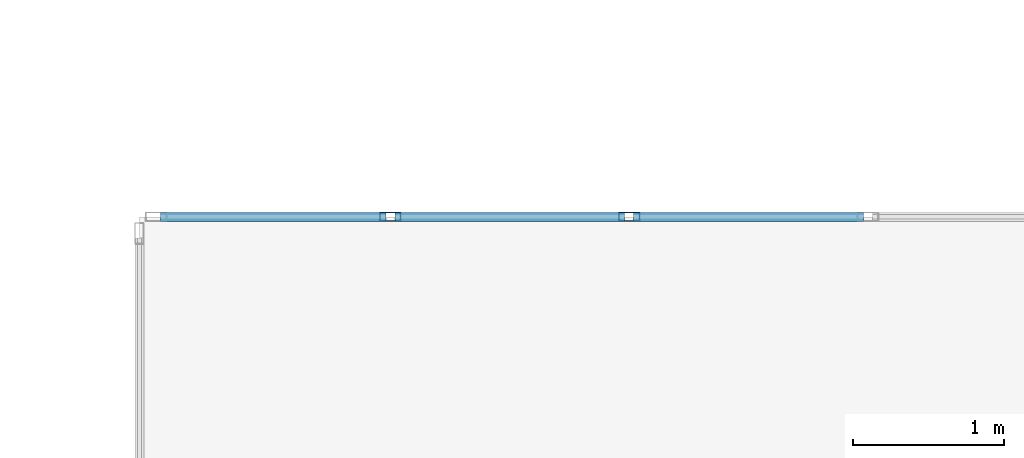
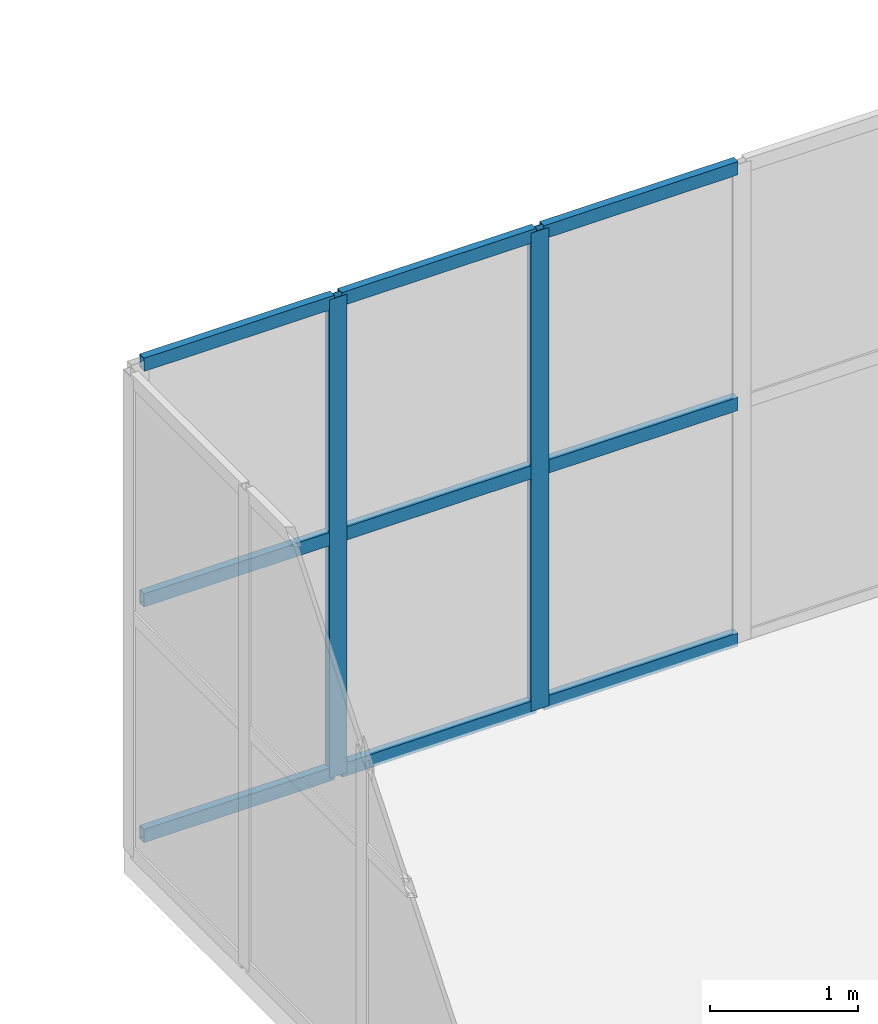
# One storey, part 45 of 81: 11 members, 1 element without a shape of its own.
"""IFC4 building model written with IfcOpenShell, lengths in metres."""

from ifc_helpers import new_model, si_unit, direction, frame, origin, origin_2d, place, context, subcontext, project, spatial, hollow_rectangle, extrude, material, layer, layer_set, material_profile, profile_set, type_object, element, aggregate, save


model = new_model("IFC4")

# Units and contexts
model_context = context("Model", 3, precision=1e-05, world=origin(), true_north=direction((0.0, 1.0)))
body_context = subcontext(model_context, "Body", "Model", "MODEL_VIEW")
ifc_project = project(units=[si_unit("LENGTHUNIT", "METRE"), si_unit("AREAUNIT", "SQUARE_METRE"), si_unit("VOLUMEUNIT", "CUBIC_METRE"), si_unit("PLANEANGLEUNIT", "RADIAN"), si_unit("MASSUNIT", "GRAM", prefix="KILO")], contexts=[model_context])

# Site, building, storey
site_placement = place(None, origin())
site = spatial("IfcSite", under=ifc_project, at=site_placement, CompositionType="ELEMENT")
building_placement = place(site_placement, origin())
building = spatial("IfcBuilding", under=site, at=building_placement, Name="Trelvath General Hospital", CompositionType="ELEMENT")
storey_placement = place(building_placement, frame((0.0, 0.0, 24.60009765625)))
storey = spatial("IfcBuildingStorey", under=building, at=storey_placement, Name="L06", CompositionType="ELEMENT", Elevation=24.60009765625)

# Curtain wall, members
ifc_material_1 = material(Name="Anodised aluminium and low-E glass", Category="aluminium")
ifc_layer = layer(ifc_material_1, 0.139892578125)
ifc_layer_set = layer_set([ifc_layer], Name="Anodised aluminium and low-E glass")
curtain_wall_type = type_object("IfcCurtainWallType", Name="CW CrystalCube 790 396 14", PredefinedType="USERDEFINED", material=ifc_layer_set)
curtain_wall_placement = place(storey_placement, origin())
curtain_wall = element("IfcCurtainWall", 1, at=curtain_wall_placement, inside=storey, type_object=curtain_wall_type, Name="Crystal Cube Curtain Wall CUBE-E-T2 N1 L06", ObjectType="Unitised Glazed Curtain Wall", PredefinedType="USERDEFINED")
ifc_material_2 = material(Name="Anodised aluminium", Category="aluminium")
ifc_material_profile_1 = material_profile(ifc_material_2, hollow_rectangle(XDim=0.06005859375, YDim=0.139892578125, WallThickness=0.00390625, at=origin_2d()), Name="RHS60x140x4")
ifc_profile_set_1 = profile_set([ifc_material_profile_1], Name="Anodised aluminium")
member_type_1 = type_object("IfcMemberType", Name="CurtainMullion 60x140", PredefinedType="MULLION", material=ifc_profile_set_1)
member_1_placement = place(storey_placement, frame((94.06005859375, 74.0, 0.0), z_axis=(0.0, 0.0, 1.0), x_axis=(0.0, 1.0, 0.0)))
member_1 = element("IfcMember", 2, at=member_1_placement, type_object=member_type_1, Name="CW-334 mullion 2", PredefinedType="MULLION", context=body_context, shape_type="SweptSolid", body=[
    extrude(hollow_rectangle(XDim=0.06005859375, YDim=0.139892578125, WallThickness=0.00390625, at=origin_2d()), origin(), (0.0, 0.0, 1.0), 3.9599609375),
])
member_2_placement = place(storey_placement, frame((95.639892578125, 74.0, 0.0), z_axis=(0.0, 0.0, 1.0), x_axis=(0.0, 1.0, 0.0)))
member_2 = element("IfcMember", 3, at=member_2_placement, type_object=member_type_1, Name="CW-334 mullion 3", PredefinedType="MULLION", context=body_context, shape_type="SweptSolid", body=[
    extrude(hollow_rectangle(XDim=0.06005859375, YDim=0.139892578125, WallThickness=0.00390625, at=origin_2d()), origin(), (0.0, 0.0, 1.0), 3.9599609375),
])
ifc_material_3 = material(Name="Anodised aluminium", Category="aluminium")
ifc_material_profile_2 = material_profile(ifc_material_3, hollow_rectangle(XDim=0.06005859375, YDim=0.110107421875, WallThickness=0.00390625, at=origin_2d()), Name="RHS60x110x4")
ifc_profile_set_2 = profile_set([ifc_material_profile_2], Name="Anodised aluminium")
member_type_2 = type_object("IfcMemberType", Name="CurtainTransom 60x110", PredefinedType="USERDEFINED", material=ifc_profile_set_2)
member_3_placement = place(storey_placement, frame((92.5400390625, 74.0, 0.02978515625), z_axis=(1.0, 0.0, 0.0), x_axis=(0.0, 1.0, 0.0)))
member_3 = element("IfcMember", 4, at=member_3_placement, type_object=member_type_2, Name="CW-334 transom 1.1", ObjectType="TRANSOM", PredefinedType="USERDEFINED", context=body_context, shape_type="SweptSolid", body=[
    extrude(hollow_rectangle(XDim=0.06005859375, YDim=0.110107421875, WallThickness=0.00390625, at=origin_2d()), origin(), (0.0, 0.0, 1.0), 1.489990234375),
])
member_4_placement = place(storey_placement, frame((92.5400390625, 74.0, 1.97998046875), z_axis=(1.0, 0.0, 0.0), x_axis=(0.0, 1.0, 0.0)))
member_4 = element("IfcMember", 5, at=member_4_placement, type_object=member_type_2, Name="CW-334 transom 1.2", ObjectType="TRANSOM", PredefinedType="USERDEFINED", context=body_context, shape_type="SweptSolid", body=[
    extrude(hollow_rectangle(XDim=0.06005859375, YDim=0.110107421875, WallThickness=0.00390625, at=origin_2d()), origin(), (0.0, 0.0, 1.0), 1.489990234375),
])
member_5_placement = place(storey_placement, frame((92.5400390625, 74.0, 3.929931640625), z_axis=(1.0, 0.0, 0.0), x_axis=(0.0, 1.0, 0.0)))
member_5 = element("IfcMember", 6, at=member_5_placement, type_object=member_type_2, Name="CW-334 transom 1.3", ObjectType="TRANSOM", PredefinedType="USERDEFINED", context=body_context, shape_type="SweptSolid", body=[
    extrude(hollow_rectangle(XDim=0.06005859375, YDim=0.110107421875, WallThickness=0.00390625, at=origin_2d()), origin(), (0.0, 0.0, 1.0), 1.489990234375),
])
member_6_placement = place(storey_placement, frame((94.090087890625, 74.0, 0.02978515625), z_axis=(1.0, 0.0, 0.0), x_axis=(0.0, 1.0, 0.0)))
member_6 = element("IfcMember", 7, at=member_6_placement, type_object=member_type_2, Name="CW-334 transom 2.1", ObjectType="TRANSOM", PredefinedType="USERDEFINED", context=body_context, shape_type="SweptSolid", body=[
    extrude(hollow_rectangle(XDim=0.06005859375, YDim=0.110107421875, WallThickness=0.00390625, at=origin_2d()), origin(), (0.0, 0.0, 1.0), 1.52001953125),
])
member_7_placement = place(storey_placement, frame((94.090087890625, 74.0, 1.97998046875), z_axis=(1.0, 0.0, 0.0), x_axis=(0.0, 1.0, 0.0)))
member_7 = element("IfcMember", 8, at=member_7_placement, type_object=member_type_2, Name="CW-334 transom 2.2", ObjectType="TRANSOM", PredefinedType="USERDEFINED", context=body_context, shape_type="SweptSolid", body=[
    extrude(hollow_rectangle(XDim=0.06005859375, YDim=0.110107421875, WallThickness=0.00390625, at=origin_2d()), origin(), (0.0, 0.0, 1.0), 1.52001953125),
])
member_8_placement = place(storey_placement, frame((94.090087890625, 74.0, 3.929931640625), z_axis=(1.0, 0.0, 0.0), x_axis=(0.0, 1.0, 0.0)))
member_8 = element("IfcMember", 9, at=member_8_placement, type_object=member_type_2, Name="CW-334 transom 2.3", ObjectType="TRANSOM", PredefinedType="USERDEFINED", context=body_context, shape_type="SweptSolid", body=[
    extrude(hollow_rectangle(XDim=0.06005859375, YDim=0.110107421875, WallThickness=0.00390625, at=origin_2d()), origin(), (0.0, 0.0, 1.0), 1.52001953125),
])
member_9_placement = place(storey_placement, frame((95.669921875, 74.0, 0.02978515625), z_axis=(1.0, 0.0, 0.0), x_axis=(0.0, 1.0, 0.0)))
member_9 = element("IfcMember", 10, at=member_9_placement, type_object=member_type_2, Name="CW-334 transom 3.1", ObjectType="TRANSOM", PredefinedType="USERDEFINED", context=body_context, shape_type="SweptSolid", body=[
    extrude(hollow_rectangle(XDim=0.06005859375, YDim=0.110107421875, WallThickness=0.00390625, at=origin_2d()), origin(), (0.0, 0.0, 1.0), 1.52001953125),
])
member_10_placement = place(storey_placement, frame((95.669921875, 74.0, 1.97998046875), z_axis=(1.0, 0.0, 0.0), x_axis=(0.0, 1.0, 0.0)))
member_10 = element("IfcMember", 11, at=member_10_placement, type_object=member_type_2, Name="CW-334 transom 3.2", ObjectType="TRANSOM", PredefinedType="USERDEFINED", context=body_context, shape_type="SweptSolid", body=[
    extrude(hollow_rectangle(XDim=0.06005859375, YDim=0.110107421875, WallThickness=0.00390625, at=origin_2d()), origin(), (0.0, 0.0, 1.0), 1.52001953125),
])
member_11_placement = place(storey_placement, frame((95.669921875, 74.0, 3.929931640625), z_axis=(1.0, 0.0, 0.0), x_axis=(0.0, 1.0, 0.0)))
member_11 = element("IfcMember", 12, at=member_11_placement, type_object=member_type_2, Name="CW-334 transom 3.3", ObjectType="TRANSOM", PredefinedType="USERDEFINED", context=body_context, shape_type="SweptSolid", body=[
    extrude(hollow_rectangle(XDim=0.06005859375, YDim=0.110107421875, WallThickness=0.00390625, at=origin_2d()), origin(), (0.0, 0.0, 1.0), 1.52001953125),
])
aggregate(curtain_wall, [member_1, member_2, member_3, member_4, member_5, member_6, member_7, member_8, member_9, member_10, member_11])

save(model, "model.ifc")
